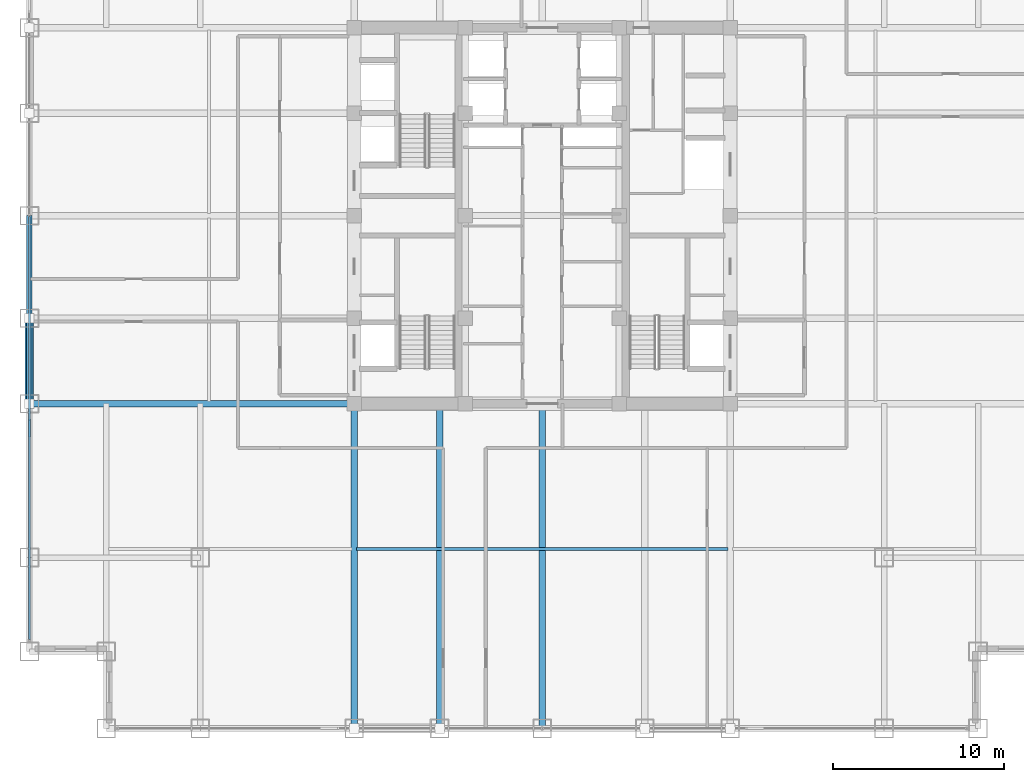
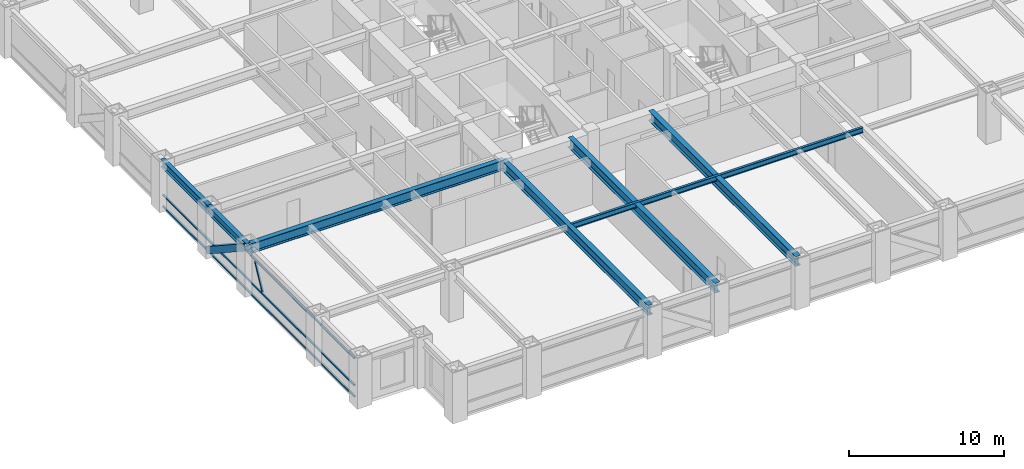
# One storey, part 5 of 24: 7 beams, 5 members, 1 element without a shape of its own.
"""IFC4 building model written with IfcOpenShell, lengths in metres."""

import ifcopenshell
import ifcopenshell.guid

model = None  # the IFC model being written
_history = None  # IfcOwnerHistory: only IFC2X3 demands one
_inside = {}  # id of a spatial element -> (the spatial element, [elements in it])
_under = {}  # id of a project, library or spatial element -> (it, [spatial elements below it])
_declared = {}  # id of a project -> (the project, [libraries it declares])
_typed = {}  # id of a type object -> (the type object, [elements of that type])
_made_of = {}  # id of a material, layer set ... -> (it, [elements and type objects made of it])


def new_model(schema):
    """Start an empty IFC model of exactly this schema.

    Asked for "IFC4X3", IfcOpenShell would pick the latest addendum, in which some entities
    have other attributes; the version numbers below select the first issue.
    IFC2X3 requires an IfcOwnerHistory on every rooted entity: one is made here for all.
    """
    global model, _history
    if schema == "IFC4X3":
        model = ifcopenshell.file(schema_version=(4, 3, 0, 0))
    else:
        model = ifcopenshell.file(schema=schema)
    _inside.clear()
    _under.clear()
    _declared.clear()
    _typed.clear()
    _made_of.clear()
    _history = None
    if model.schema == "IFC2X3":
        org = make("IfcOrganization", Name="unknown")
        user = make(
            "IfcPersonAndOrganization",
            ThePerson=make("IfcPerson", FamilyName="unknown"),
            TheOrganization=org,
        )
        app = make(
            "IfcApplication",
            ApplicationDeveloper=org,
            Version="unknown",
            ApplicationFullName="unknown",
            ApplicationIdentifier="unknown",
        )
        _history = make(
            "IfcOwnerHistory",
            OwningUser=user,
            OwningApplication=app,
            ChangeAction="ADDED",
            CreationDate=0,
        )
    return model


def make(cls, **values):
    """One entity of the class cls with the attributes given. An attribute that is None is left unset."""
    return model.create_entity(
        cls, **{name: value for name, value in values.items() if value is not None}
    )


def rooted(cls, **values):
    """An entity with a GlobalId (a new one), such as an element, a storey or a relation."""
    return make(cls, GlobalId=ifcopenshell.guid.new(), OwnerHistory=_history, **values)


def si_unit(unit_type, name, prefix=None):
    """IfcSIUnit, for example si_unit("LENGTHUNIT", "METRE", prefix="MILLI")."""
    return make("IfcSIUnit", UnitType=unit_type, Prefix=prefix, Name=name)


def assignment(units):
    """IfcUnitAssignment: the units of a project."""
    return None if units is None else make("IfcUnitAssignment", Units=units)


def point(xyz):
    """IfcCartesianPoint."""
    return None if xyz is None else make("IfcCartesianPoint", Coordinates=xyz)


def direction(xyz):
    """IfcDirection."""
    return None if xyz is None else make("IfcDirection", DirectionRatios=xyz)


def frame(location, z_axis=None, x_axis=None):
    """IfcAxis2Placement3D, a coordinate frame: its origin and axes. An axis left out is left unset."""
    return make(
        "IfcAxis2Placement3D",
        Location=point(location),
        Axis=direction(z_axis),
        RefDirection=direction(x_axis),
    )


def frame_2d(location, x_axis=None):
    """IfcAxis2Placement2D, a coordinate frame in the plane: its origin and x axis."""
    return make(
        "IfcAxis2Placement2D", Location=point(location), RefDirection=direction(x_axis)
    )


def origin():
    """The frame at (0, 0, 0) with its axes left unset."""
    return frame((0.0, 0.0, 0.0))


def origin_2d():
    """The frame at (0, 0) in the plane with its x axis left unset."""
    return frame_2d((0.0, 0.0))


def place(relative_to, where):
    """IfcLocalPlacement: puts the frame where relative to a parent placement (None: the world)."""
    return make(
        "IfcLocalPlacement", PlacementRelTo=relative_to, RelativePlacement=where
    )


def context(
    kind, dimensions, precision=None, world=None, true_north=None, identifier=None
):
    """IfcGeometricRepresentationContext, for example the 3D "Model" context."""
    return make(
        "IfcGeometricRepresentationContext",
        ContextIdentifier=identifier,
        ContextType=kind,
        CoordinateSpaceDimension=dimensions,
        Precision=precision,
        WorldCoordinateSystem=world,
        TrueNorth=true_north,
    )


def subcontext(parent, identifier, kind, view, scale=None):
    """IfcGeometricRepresentationSubContext, for example "Body" below "Model"."""
    return make(
        "IfcGeometricRepresentationSubContext",
        ContextIdentifier=identifier,
        ContextType=kind,
        ParentContext=parent,
        TargetScale=scale,
        TargetView=view,
    )


def project(units=None, contexts=None):
    """IfcProject with its units and contexts."""
    return rooted(
        "IfcProject",
        Name="project",
        RepresentationContexts=contexts,
        UnitsInContext=assignment(units),
    )


def spatial(cls, under=None, at=None, **own):
    """A site, building, storey or space (cls), placed at a placement, below another one or the project."""
    s = rooted(cls, ObjectPlacement=at, **own)
    if under is not None:
        _under.setdefault(under.id(), (under, []))[1].append(s)
    return s


def profile(cls, at=None, kind="AREA", **sizes):
    """A parametric profile (cls). Its sizes go by their IFC names, for example OverallWidth=200.0."""
    return make(cls, ProfileType=kind, Position=at, **sizes)


def hollow_rectangle(**sizes):
    """IfcRectangleHollowProfileDef."""
    return profile("IfcRectangleHollowProfileDef", **sizes)


def i_section(**sizes):
    """IfcIShapeProfileDef."""
    return profile("IfcIShapeProfileDef", **sizes)


def extrude(swept, where, along, depth):
    """IfcExtrudedAreaSolid: the profile swept, set in the frame where, extruded along a direction by depth."""
    return make(
        "IfcExtrudedAreaSolid",
        SweptArea=swept,
        Position=where,
        ExtrudedDirection=direction(along),
        Depth=depth,
    )


def shape(context_of_items, identifier, shape_type, items):
    """IfcShapeRepresentation: the items that make up one representation, for example the "Body"."""
    return make(
        "IfcShapeRepresentation",
        ContextOfItems=context_of_items,
        RepresentationIdentifier=identifier,
        RepresentationType=shape_type,
        Items=items,
    )


def source(mapping_origin, context_of_items, identifier, shape_type, items):
    """IfcRepresentationMap: a shape defined once, which mapped items show again and again."""
    return make(
        "IfcRepresentationMap",
        MappingOrigin=mapping_origin,
        MappedRepresentation=shape(context_of_items, identifier, shape_type, items),
    )


def transform(
    local_origin,
    x_axis=None,
    y_axis=None,
    z_axis=None,
    scale=None,
    scale2=None,
    scale3=None,
    uniform=True,
):
    """IfcCartesianTransformationOperator3D, or its non-uniform kind. x_axis, y_axis, z_axis: its Axis1, 2, 3."""
    if uniform:
        return make(
            "IfcCartesianTransformationOperator3D",
            Axis1=direction(x_axis),
            Axis2=direction(y_axis),
            LocalOrigin=point(local_origin),
            Scale=scale,
            Axis3=direction(z_axis),
        )
    return make(
        "IfcCartesianTransformationOperator3DnonUniform",
        Axis1=direction(x_axis),
        Axis2=direction(y_axis),
        LocalOrigin=point(local_origin),
        Scale=scale,
        Axis3=direction(z_axis),
        Scale2=scale2,
        Scale3=scale3,
    )


def mapped(mapping_source, mapping_target):
    """IfcMappedItem: shows the shape of a source again, moved by a transform."""
    return make(
        "IfcMappedItem", MappingSource=mapping_source, MappingTarget=mapping_target
    )


def material(Name=None, Category=None):
    """IfcMaterial."""
    return make("IfcMaterial", Name=Name, Category=Category)


def material_profile(
    of_material, cross_section, Name=None, Category=None, Priority=None
):
    """IfcMaterialProfile: a cross section and its material."""
    return make(
        "IfcMaterialProfile",
        Name=Name,
        Material=of_material,
        Profile=cross_section,
        Priority=Priority,
        Category=Category,
    )


def profile_set(profiles, Name=None, composite=None):
    """IfcMaterialProfileSet."""
    return make(
        "IfcMaterialProfileSet",
        Name=Name,
        MaterialProfiles=profiles,
        CompositeProfile=composite,
    )


def made_of(thing, what):
    """Note that an element or type object is made of a material, layer set ...; save() writes the relation."""
    if what is not None:
        _made_of.setdefault(what.id(), (what, []))[1].append(thing)
    return thing


def type_object(cls, material=None, **own):
    """A type object (cls), such as IfcWallType, which elements share."""
    return made_of(rooted(cls, **own), material)


def element(
    cls,
    number,
    at=None,
    inside=None,
    cuts=None,
    type_object=None,
    material=None,
    context=None,
    identifier="Body",
    shape_type=None,
    held_by="IfcProductDefinitionShape",
    body=None,
    shapes=None,
    **own,
):
    """One element of the class cls, such as IfcWall. Its Tag is "e" and its number.

    at: its placement. inside: the storey or other place that contains it. cuts: it is an
    opening in that element (IfcRelVoidsElement). A single representation is given by context,
    identifier, shape_type and body (its items); several are given by shapes. held_by: the class
    of the entity that holds the representations. save() writes the other relations.
    """
    e = rooted(cls, Tag="e%d" % number, ObjectPlacement=at, **own)
    if body is not None:
        shapes = [shape(context, identifier, shape_type, body)]
    if shapes is not None:
        e.Representation = make(held_by, Representations=shapes)
    if inside is not None:
        _inside.setdefault(inside.id(), (inside, []))[1].append(e)
    if cuts is not None:
        rooted(
            "IfcRelVoidsElement", RelatingBuildingElement=cuts, RelatedOpeningElement=e
        )
    if type_object is not None:
        _typed.setdefault(type_object.id(), (type_object, []))[1].append(e)
    return made_of(e, material)


def aggregate(whole, parts):
    """IfcRelAggregates: a whole, such as a stair, and the parts it consists of."""
    return rooted("IfcRelAggregates", RelatingObject=whole, RelatedObjects=parts)


def save(model, path):
    """Write the relations noted so far, then the file.

    IfcRelAggregates (storeys below a building ...), IfcRelContainedInSpatialStructure (elements
    in a storey), IfcRelDefinesByType, IfcRelAssociatesMaterial and IfcRelDeclares: one each for
    every whole, place, type object, material and project.
    """
    for whole, parts in _under.values():
        aggregate(whole, parts)
    for where, things in _inside.values():
        rooted(
            "IfcRelContainedInSpatialStructure",
            RelatedElements=things,
            RelatingStructure=where,
        )
    for kind, things in _typed.values():
        rooted("IfcRelDefinesByType", RelatedObjects=things, RelatingType=kind)
    for what, things in _made_of.values():
        rooted("IfcRelAssociatesMaterial", RelatedObjects=things, RelatingMaterial=what)
    for by, libraries in _declared.values():
        rooted("IfcRelDeclares", RelatingContext=by, RelatedDefinitions=libraries)
    model.write(path)


model = new_model("IFC4")

# Units and contexts
model_context = context("Model", 3, precision=1e-05, world=origin(), true_north=direction((0.0, 1.0)))
body_context = subcontext(model_context, "Body", "Model", "MODEL_VIEW")
ifc_project = project(units=[si_unit("LENGTHUNIT", "METRE"), si_unit("AREAUNIT", "SQUARE_METRE"), si_unit("VOLUMEUNIT", "CUBIC_METRE"), si_unit("PLANEANGLEUNIT", "RADIAN"), si_unit("MASSUNIT", "GRAM", prefix="KILO")], contexts=[model_context])

# Site, building, storey
site_placement = place(None, origin())
site = spatial("IfcSite", under=ifc_project, at=site_placement, CompositionType="ELEMENT")
building_placement = place(site_placement, origin())
building = spatial("IfcBuilding", under=site, at=building_placement, Name="Khorayat Bourse Tower", CompositionType="ELEMENT")
storey_placement = place(building_placement, frame((0.0, 0.0, 159.10009765625)))
storey = spatial("IfcBuildingStorey", under=building, at=storey_placement, Name="L36", CompositionType="ELEMENT", Elevation=159.10009765625)

# Beams
ifc_material_1 = material(Name="Steel ASTM A992 Grade 50", Category="steel")
ifc_material_profile_1 = material_profile(ifc_material_1, i_section(OverallWidth=0.381103515625, OverallDepth=0.77294921875, WebThickness=0.0166015625, FlangeThickness=0.027587890625, FilletRadius=0.01806640625, at=origin_2d()), Name="W760X257")
ifc_profile_set_1 = profile_set([ifc_material_profile_1], Name="Steel ASTM A992 Grade 50")
beam_type_1 = type_object("IfcBeamType", Name="BM-GIRD-760", PredefinedType="BEAM", material=ifc_profile_set_1)
shared_shape_1 = source(origin(), body_context, "Body", "SweptSolid", [
    extrude(i_section(OverallWidth=0.381103515625, OverallDepth=0.77294921875, WebThickness=0.0166015625, FlangeThickness=0.027587890625, FilletRadius=0.01806640625, at=origin_2d()), origin(), (0.0, 0.0, 1.0), 19.0),
])
for number, where, z_axis, x_axis, name in (
    (1, (-11.0, -30.0, 3.393310546875), (0.0, 1.0, 0.0), (-1.0, 0.0, 0.0), "L36 BM-GIRD-760 BM-L36-RADY-065"),
    (2, (-6.0, -30.0, 3.393310546875), (0.0, 1.0, 0.0), (-1.0, 0.0, 0.0), "L36 BM-GIRD-760 BM-L36-RADY-067"),
    (3, (0.0, -30.0, 3.393310546875), (0.0, 1.0, 0.0), (-1.0, 0.0, 0.0), "L36 BM-GIRD-760 BM-L36-RADY-069"),
    (4, (-30.0, -11.0, 3.393310546875), (1.0, 0.0, 0.0), (0.0, 1.0, 0.0), "L36 BM-GIRD-760 BM-L36-RADX-075"),
):
    element("IfcBeam", number, at=place(storey_placement, frame(where, z_axis=z_axis, x_axis=x_axis)), inside=storey, type_object=beam_type_1, Name=name, PredefinedType="BEAM", context=body_context, shape_type="MappedRepresentation", body=[
        mapped(shared_shape_1, transform((0.0, 0.0, 0.0), scale=1.0)),
    ])
ifc_material_profile_2 = material_profile(ifc_material_1, i_section(OverallWidth=0.180908203125, OverallDepth=0.4169921875, WebThickness=0.010986328125, FlangeThickness=0.018310546875, FilletRadius=0.011962890625, at=origin_2d()), Name="W410X85")
ifc_profile_set_2 = profile_set([ifc_material_profile_2], Name="Steel ASTM A992 Grade 50")
beam_type_2 = type_object("IfcBeamType", Name="BM-JOIST-410", PredefinedType="JOIST", material=ifc_profile_set_2)
shared_shape_2 = source(origin(), body_context, "Body", "SweptSolid", [
    extrude(i_section(OverallWidth=0.180908203125, OverallDepth=0.4169921875, WebThickness=0.010986328125, FlangeThickness=0.018310546875, FilletRadius=0.011962890625, at=origin_2d()), origin(), (0.0, 0.0, 1.0), 21.740234375),
])
beam_1_placement = place(storey_placement, frame((-10.8701171875, -19.5, 3.5712890625), z_axis=(1.0, 0.0, 0.0), x_axis=(0.0, 1.0, 0.0)))
element("IfcBeam", 5, at=beam_1_placement, inside=storey, type_object=beam_type_2, Name="L36 BM-JOIST-410 BM-L36-JSTX-097", PredefinedType="JOIST", context=body_context, shape_type="MappedRepresentation", body=[
    mapped(shared_shape_2, transform((0.0, 0.0, 0.0), scale=1.0)),
])
ifc_material_profile_3 = material_profile(ifc_material_1, i_section(OverallWidth=0.324951171875, OverallDepth=0.615966796875, WebThickness=0.013916015625, FlangeThickness=0.021484375, FilletRadius=0.01611328125, at=origin_2d()), Name="W610X174")
ifc_profile_set_3 = profile_set([ifc_material_profile_3], Name="Steel ASTM A992 Grade 50")
beam_type_3 = type_object("IfcBeamType", Name="BM-SPAN-610", PredefinedType="SPANDREL", material=ifc_profile_set_3)
shared_shape_3 = source(origin(), body_context, "Body", "SweptSolid", [
    extrude(i_section(OverallWidth=0.324951171875, OverallDepth=0.615966796875, WebThickness=0.013916015625, FlangeThickness=0.021484375, FilletRadius=0.01611328125, at=origin_2d()), origin(), (0.0, 0.0, 1.0), 5.0),
])
beam_2_placement = place(storey_placement, frame((-30.0, -11.0, 3.471923828125), z_axis=(0.0, 1.0, 0.0), x_axis=(-1.0, 0.0, 0.0)))
element("IfcBeam", 6, at=beam_2_placement, inside=storey, type_object=beam_type_3, Name="L36 BM-SPAN-610 BM-L36-SPN-059", PredefinedType="SPANDREL", context=body_context, shape_type="MappedRepresentation", body=[
    mapped(shared_shape_3, transform((0.0, 0.0, 0.0), scale=1.0)),
])
shared_shape_4 = source(origin(), body_context, "Body", "SweptSolid", [
    extrude(i_section(OverallWidth=0.324951171875, OverallDepth=0.615966796875, WebThickness=0.013916015625, FlangeThickness=0.021484375, FilletRadius=0.01611328125, at=origin_2d()), origin(), (0.0, 0.0, 1.0), 6.0),
])
beam_3_placement = place(storey_placement, frame((-30.0, -6.0, 3.471923828125), z_axis=(0.0, 1.0, 0.0), x_axis=(-1.0, 0.0, 0.0)))
element("IfcBeam", 7, at=beam_3_placement, inside=storey, type_object=beam_type_3, Name="L36 BM-SPAN-610 BM-L36-SPN-058", PredefinedType="SPANDREL", context=body_context, shape_type="MappedRepresentation", body=[
    mapped(shared_shape_4, transform((0.0, 0.0, 0.0), scale=1.0)),
])

# Member
ifc_material_2 = material(Name="Steel EN 10025-4 S460M", Category="steel")
ifc_material_profile_4 = material_profile(ifc_material_2, hollow_rectangle(XDim=0.5, YDim=0.5, WallThickness=0.028076171875, at=origin_2d()), Name="HSS 500x500x28")
ifc_profile_set_4 = profile_set([ifc_material_profile_4], Name="Steel EN 10025-4 S460M")
member_type_1 = type_object("IfcMemberType", Name="MBR-TUBE-500", PredefinedType="BRACE", material=ifc_profile_set_4)
shared_shape_5 = source(origin(), body_context, "Body", "SweptSolid", [
    extrude(hollow_rectangle(XDim=0.5, YDim=0.5, WallThickness=0.028076171875, at=origin_2d()), origin(), (0.0, 0.0, 1.0), 5.979736328125),
])
member_1_placement = place(storey_placement, frame((-30.0, -11.0, 3.52978515625), z_axis=(0.0, 0.836160261256, -0.548485202623), x_axis=(-1.0, 0.0, 0.0)))
element("IfcMember", 8, at=member_1_placement, inside=storey, type_object=member_type_1, Name="L36 Perimeter Tube Brace 05", PredefinedType="BRACE", context=body_context, shape_type="MappedRepresentation", body=[
    mapped(shared_shape_5, transform((0.0, 0.0, 0.0), scale=1.0)),
])

# Curtain wall, members
ifc_material_3 = material(Name="Aluminium EN AW-6063 T6", Category="aluminium")
curtain_wall_type = type_object("IfcCurtainWallType", Name="CW-SYS-03", PredefinedType="NOTDEFINED", material=ifc_material_3)
curtain_wall_placement = place(storey_placement, origin())
curtain_wall = element("IfcCurtainWall", 9, at=curtain_wall_placement, inside=storey, type_object=curtain_wall_type, Name="L36 Curtain Wall CW-L36-W1", PredefinedType="NOTDEFINED")
ifc_material_profile_5 = material_profile(ifc_material_3, hollow_rectangle(XDim=0.1201171875, YDim=0.1201171875, WallThickness=0.0048828125, at=origin_2d()), Name="ALU 120x120x5")
ifc_profile_set_5 = profile_set([ifc_material_profile_5], Name="Aluminium EN AW-6063 T6")
member_type_2 = type_object("IfcMemberType", Name="CWM-DIAG-120", PredefinedType="MULLION", material=ifc_profile_set_5)
shared_shape_6 = source(origin(), body_context, "Body", "SweptSolid", [
    extrude(hollow_rectangle(XDim=0.1201171875, YDim=0.1201171875, WallThickness=0.0048828125, at=origin_2d()), origin(), (0.0, 0.0, 1.0), 2.079345703125),
])
member_2_placement = place(storey_placement, frame((-30.0, -12.904296875, 1.08984375), z_axis=(0.0, 0.465760949701, 0.884910581773), x_axis=(-1.0, 0.0, 0.0)))
member_2 = element("IfcMember", 10, at=member_2_placement, type_object=member_type_2, Name="CW-L36-W1 Faceted Diagonal Mullion 1", PredefinedType="MULLION", context=body_context, shape_type="MappedRepresentation", body=[
    mapped(shared_shape_6, transform((0.0, 0.0, 0.0), scale=1.0)),
])
ifc_material_profile_6 = material_profile(ifc_material_3, hollow_rectangle(XDim=0.1201171875, YDim=0.1201171875, WallThickness=0.0048828125, at=origin_2d()), Name="ALU 120x120x5")
ifc_profile_set_6 = profile_set([ifc_material_profile_6], Name="Aluminium EN AW-6063 T6")
member_type_3 = type_object("IfcMemberType", Name="CWT-HORZ-120", PredefinedType="USERDEFINED", material=ifc_profile_set_6)
shared_shape_7 = source(origin(), body_context, "Body", "SweptSolid", [
    extrude(hollow_rectangle(XDim=0.1201171875, YDim=0.1201171875, WallThickness=0.0048828125, at=origin_2d()), origin(), (0.0, 0.0, 1.0), 24.719970703125),
])
member_3_placement = place(storey_placement, frame((-30.0, -24.780029296875, 0.059814453125), z_axis=(0.0, 1.0, 0.0), x_axis=(-1.0, 0.0, 0.0)))
member_3 = element("IfcMember", 11, at=member_3_placement, type_object=member_type_3, Name="CW-L36-W1 Horizontal Transom 1-1", ObjectType="TRANSOM", PredefinedType="USERDEFINED", context=body_context, shape_type="MappedRepresentation", body=[
    mapped(shared_shape_7, transform((0.0, 0.0, 0.0), scale=1.0)),
])
member_4_placement = place(storey_placement, frame((-30.0, -24.780029296875, 0.949951171875), z_axis=(0.0, 1.0, 0.0), x_axis=(-1.0, 0.0, 0.0)))
member_4 = element("IfcMember", 12, at=member_4_placement, type_object=member_type_3, Name="CW-L36-W1 Horizontal Transom 1-2", ObjectType="TRANSOM", PredefinedType="USERDEFINED", context=body_context, shape_type="MappedRepresentation", body=[
    mapped(shared_shape_7, transform((0.0, 0.0, 0.0), scale=1.0)),
])
member_5_placement = place(storey_placement, frame((-30.0, -24.780029296875, 3.06982421875), z_axis=(0.0, 1.0, 0.0), x_axis=(-1.0, 0.0, 0.0)))
member_5 = element("IfcMember", 13, at=member_5_placement, type_object=member_type_3, Name="CW-L36-W1 Horizontal Transom 1-3", ObjectType="TRANSOM", PredefinedType="USERDEFINED", context=body_context, shape_type="MappedRepresentation", body=[
    mapped(shared_shape_7, transform((0.0, 0.0, 0.0), scale=1.0)),
])
aggregate(curtain_wall, [member_3, member_4, member_5, member_2])

save(model, "model.ifc")
